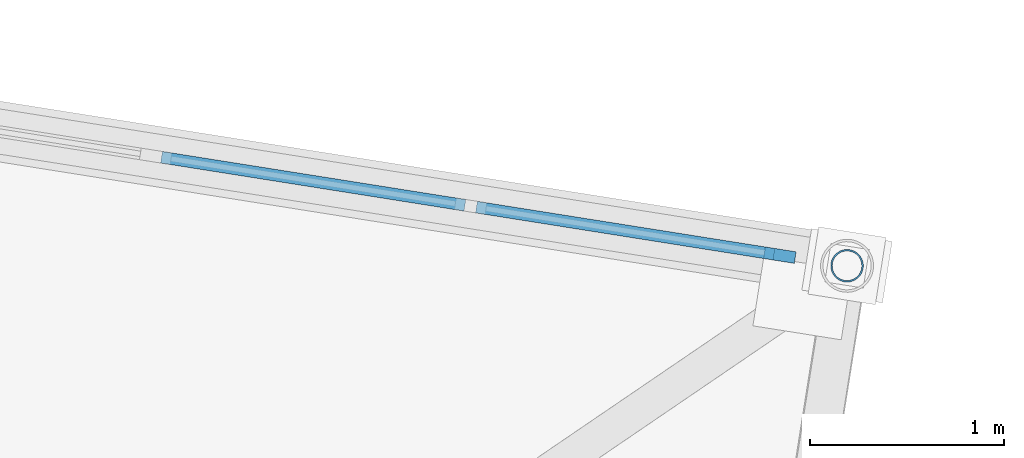
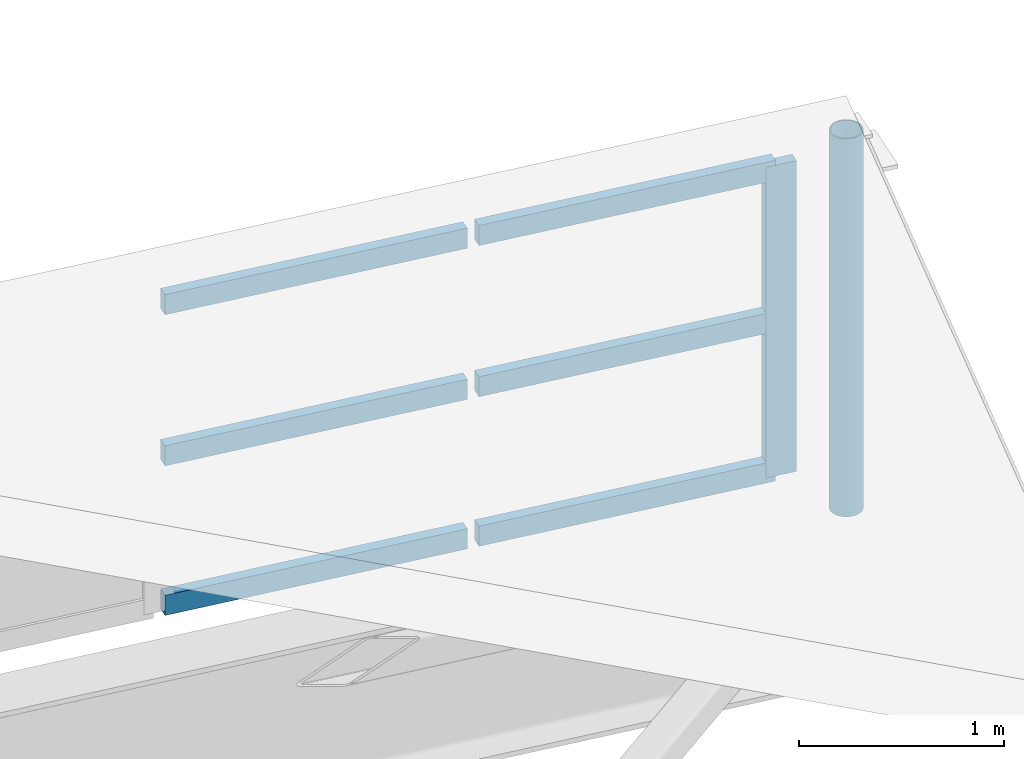
# One storey, part 52 of 65: 8 members, 1 element without a shape of its own.
"""IFC4 building model written with IfcOpenShell, lengths in metres."""

from ifc_helpers import new_model, si_unit, direction, frame, origin, origin_2d, place, context, subcontext, project, spatial, rectangle, hollow_circle, extrude, material, material_profile, profile_set, type_object, element, aggregate, save


model = new_model("IFC4")

# Units and contexts
model_context = context("Model", 3, precision=1e-05, world=origin(), true_north=direction((0.0, 1.0)))
body_context = subcontext(model_context, "Body", "Model", "MODEL_VIEW")
ifc_project = project(units=[si_unit("LENGTHUNIT", "METRE"), si_unit("AREAUNIT", "SQUARE_METRE"), si_unit("VOLUMEUNIT", "CUBIC_METRE"), si_unit("PLANEANGLEUNIT", "RADIAN"), si_unit("MASSUNIT", "GRAM", prefix="KILO")], contexts=[model_context])

# Site, building, storey
site_placement = place(None, origin())
site = spatial("IfcSite", under=ifc_project, at=site_placement, CompositionType="ELEMENT")
building_placement = place(site_placement, origin())
building = spatial("IfcBuilding", under=site, at=building_placement, Name="Cinderway Yard Community Centre", CompositionType="ELEMENT")
storey_placement = place(building_placement, frame((0.0, 0.0, 24.300048828125)))
storey = spatial("IfcBuildingStorey", under=building, at=storey_placement, Name="RF", CompositionType="ELEMENT", Elevation=24.300048828125)

# Curtain wall, members
ifc_material_1 = material(Name="Aluminium 6063-T6", Category="aluminium")
curtain_wall_type = type_object("IfcCurtainWallType", Name="ENV-CW-TYPE-23", PredefinedType="USERDEFINED", material=ifc_material_1)
curtain_wall_placement = place(storey_placement, origin())
curtain_wall = element("IfcCurtainWall", 1, at=curtain_wall_placement, inside=storey, type_object=curtain_wall_type, Name="Sawtooth North-Light Clerestory ENV-CW-RF-ST-0089", ObjectType="GLAZED CURTAIN WALL", PredefinedType="USERDEFINED")
ifc_material_profile_1 = material_profile(ifc_material_1, rectangle(XDim=0.06005859375, YDim=0.159912109375, at=origin_2d()), Name="Aluminium 6063-T6")
ifc_profile_set_1 = profile_set([ifc_material_profile_1], Name="Aluminium 6063-T6")
member_type_1 = type_object("IfcMemberType", Name="ENV-CW-MULL-150", PredefinedType="MULLION", material=ifc_profile_set_1)
member_1_placement = place(storey_placement, frame((145.371337890625, 74.9736328125, -10.199951171875), z_axis=(0.0, 0.0, 1.0), x_axis=(0.156385221956, 0.987696138675, 0.0)))
member_1 = element("IfcMember", 2, at=member_1_placement, type_object=member_type_1, Name="CW-23 mullion 5", PredefinedType="MULLION", context=body_context, shape_type="SweptSolid", body=[
    extrude(rectangle(XDim=0.06005859375, YDim=0.159912109375, at=origin_2d()), origin(), (0.0, 0.0, 1.0), 1.849853515625),
])
ifc_material_profile_2 = material_profile(ifc_material_1, rectangle(XDim=0.06005859375, YDim=0.1201171875, at=origin_2d()), Name="Aluminium 6063-T6")
ifc_profile_set_2 = profile_set([ifc_material_profile_2], Name="Aluminium 6063-T6")
member_type_2 = type_object("IfcMemberType", Name="ENV-CW-TRAN-110", PredefinedType="USERDEFINED", material=ifc_profile_set_2)
member_2_placement = place(storey_placement, frame((142.190673828125, 75.477294921875, -10.170166015625), z_axis=(0.987701507454, -0.156351310112, 0.0), x_axis=(0.156351310112, 0.987701507454, 0.0)))
member_2 = element("IfcMember", 3, at=member_2_placement, type_object=member_type_2, Name="CW-23 transom 3.1", ObjectType="TRANSOM", PredefinedType="USERDEFINED", context=body_context, shape_type="SweptSolid", body=[
    extrude(rectangle(XDim=0.06005859375, YDim=0.1201171875, at=origin_2d()), origin(), (0.0, 0.0, 1.0), 1.580322265625),
])
member_3_placement = place(storey_placement, frame((142.190673828125, 75.477294921875, -9.280029296875), z_axis=(0.987701507454, -0.156351310112, 0.0), x_axis=(0.156351310112, 0.987701507454, 0.0)))
member_3 = element("IfcMember", 4, at=member_3_placement, type_object=member_type_2, Name="CW-23 transom 3.2", ObjectType="TRANSOM", PredefinedType="USERDEFINED", context=body_context, shape_type="SweptSolid", body=[
    extrude(rectangle(XDim=0.06005859375, YDim=0.1201171875, at=origin_2d()), origin(), (0.0, 0.0, 1.0), 1.580322265625),
])
member_4_placement = place(storey_placement, frame((142.190673828125, 75.477294921875, -8.380126953125), z_axis=(0.987701507454, -0.156351310112, 0.0), x_axis=(0.156351310112, 0.987701507454, 0.0)))
member_4 = element("IfcMember", 5, at=member_4_placement, type_object=member_type_2, Name="CW-23 transom 3.3", ObjectType="TRANSOM", PredefinedType="USERDEFINED", context=body_context, shape_type="SweptSolid", body=[
    extrude(rectangle(XDim=0.06005859375, YDim=0.1201171875, at=origin_2d()), origin(), (0.0, 0.0, 1.0), 1.580322265625),
])
member_5_placement = place(storey_placement, frame((143.810546875, 75.220703125, -10.170166015625), z_axis=(0.98769776023, -0.156374980215, 0.0), x_axis=(0.156374980215, 0.98769776023, 0.0)))
member_5 = element("IfcMember", 6, at=member_5_placement, type_object=member_type_2, Name="CW-23 transom 4.1", ObjectType="TRANSOM", PredefinedType="USERDEFINED", context=body_context, shape_type="SweptSolid", body=[
    extrude(rectangle(XDim=0.06005859375, YDim=0.1201171875, at=origin_2d()), origin(), (0.0, 0.0, 1.0), 1.55029296875),
])
member_6_placement = place(storey_placement, frame((143.810546875, 75.220703125, -9.280029296875), z_axis=(0.98769776023, -0.156374980215, 0.0), x_axis=(0.156374980215, 0.98769776023, 0.0)))
member_6 = element("IfcMember", 7, at=member_6_placement, type_object=member_type_2, Name="CW-23 transom 4.2", ObjectType="TRANSOM", PredefinedType="USERDEFINED", context=body_context, shape_type="SweptSolid", body=[
    extrude(rectangle(XDim=0.06005859375, YDim=0.1201171875, at=origin_2d()), origin(), (0.0, 0.0, 1.0), 1.55029296875),
])
member_7_placement = place(storey_placement, frame((143.810546875, 75.220703125, -8.380126953125), z_axis=(0.98769776023, -0.156374980215, 0.0), x_axis=(0.156374980215, 0.98769776023, 0.0)))
member_7 = element("IfcMember", 8, at=member_7_placement, type_object=member_type_2, Name="CW-23 transom 4.3", ObjectType="TRANSOM", PredefinedType="USERDEFINED", context=body_context, shape_type="SweptSolid", body=[
    extrude(rectangle(XDim=0.06005859375, YDim=0.1201171875, at=origin_2d()), origin(), (0.0, 0.0, 1.0), 1.55029296875),
])
aggregate(curtain_wall, [member_1, member_2, member_3, member_4, member_5, member_6, member_7])

# Member
ifc_material_2 = material(Name="Steel S355", Category="steel")
ifc_material_profile_3 = material_profile(ifc_material_2, hollow_circle(Radius=0.084228515625, WallThickness=0.008056640625, at=origin_2d()), Name="Steel S355")
ifc_profile_set_3 = profile_set([ifc_material_profile_3], Name="Steel S355")
member_type_3 = type_object("IfcMemberType", Name="STR-MEM-STRUT-CHS168", PredefinedType="STRUT", material=ifc_profile_set_3)
member_8_placement = place(storey_placement, frame((145.717041015625, 74.9189453125, -10.5), z_axis=(0.0, 0.0, 1.0), x_axis=(1.0, 0.0, 0.0)))
element("IfcMember", 9, at=member_8_placement, inside=storey, type_object=member_type_3, Name="Sawtooth kingpost B6-216", PredefinedType="STRUT", context=body_context, shape_type="SweptSolid", body=[
    extrude(hollow_circle(Radius=0.084228515625, WallThickness=0.008056640625, at=origin_2d()), origin(), (0.0, 0.0, 1.0), 2.25),
])

save(model, "model.ifc")
